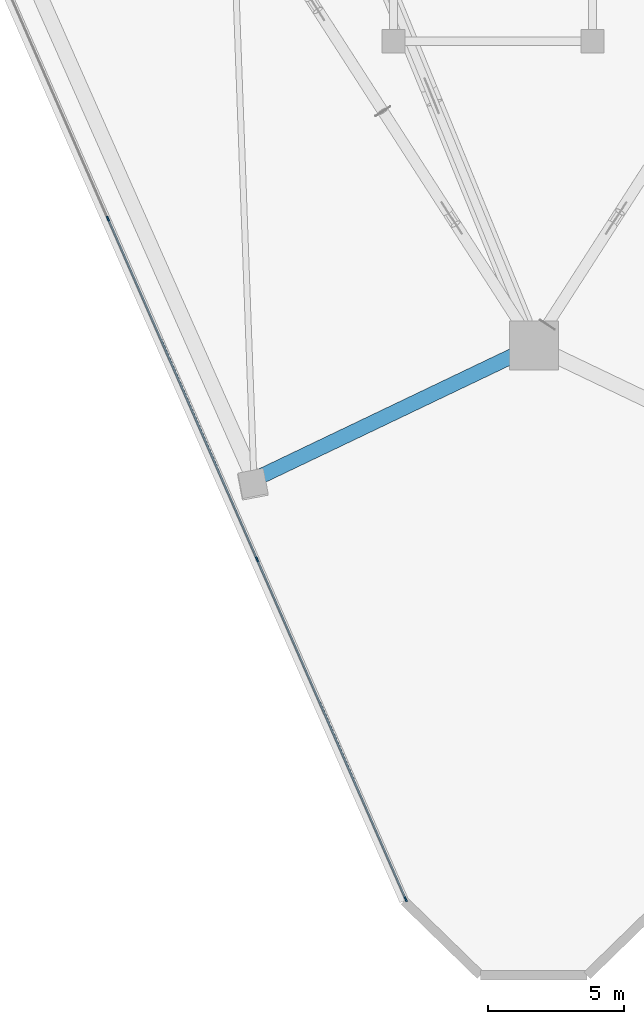
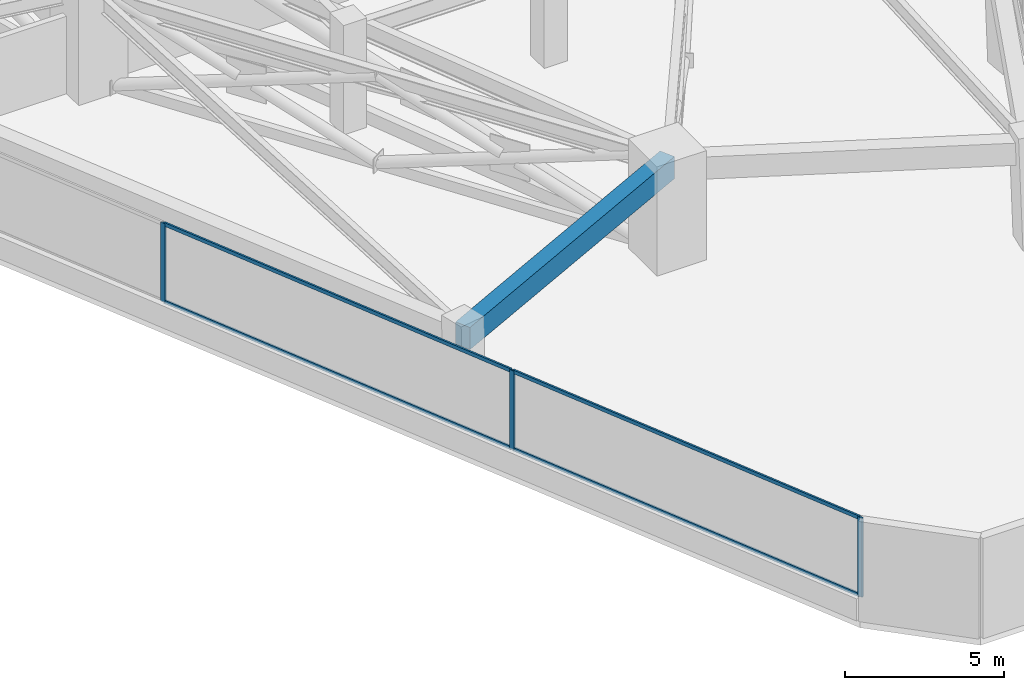
# One storey, part 2 of 20: 7 members, 1 beam, 1 element without a shape of its own.
"""IFC4 building model written with IfcOpenShell, lengths in metres."""

from ifc_helpers import new_model, si_unit, direction, frame, origin, origin_2d, place, context, subcontext, project, spatial, rectangle, extrude, material, layer, layer_set, material_profile, profile_set, type_object, element, aggregate, save


model = new_model("IFC4")

# Units and contexts
model_context = context("Model", 3, precision=1e-05, world=origin(), true_north=direction((0.0, 1.0)))
body_context = subcontext(model_context, "Body", "Model", "MODEL_VIEW")
ifc_project = project(units=[si_unit("LENGTHUNIT", "METRE"), si_unit("AREAUNIT", "SQUARE_METRE"), si_unit("VOLUMEUNIT", "CUBIC_METRE"), si_unit("PLANEANGLEUNIT", "RADIAN"), si_unit("MASSUNIT", "GRAM", prefix="KILO")], contexts=[model_context])

# Site, building, storey
site_placement = place(None, origin())
site = spatial("IfcSite", under=ifc_project, at=site_placement, CompositionType="ELEMENT")
building_placement = place(site_placement, origin())
building = spatial("IfcBuilding", under=site, at=building_placement, Name="Talyreon Biosciences Tower", CompositionType="ELEMENT")
storey_placement = place(building_placement, frame((0.0, 0.0, 66.60009765625)))
storey = spatial("IfcBuildingStorey", under=building, at=storey_placement, Name="L17", CompositionType="ELEMENT", Elevation=66.60009765625)

# Curtain wall, members
ifc_material_1 = material(Name="Thermally broken aluminium and low-E glazing", Category="aluminium")
ifc_layer = layer(ifc_material_1, 0.195068359375)
ifc_layer_set = layer_set([ifc_layer], Name="Thermally broken aluminium and low-E glazing")
curtain_wall_type = type_object("IfcCurtainWallType", Name="CurtainWall_Zone1WetLab", PredefinedType="NOTDEFINED", material=ifc_layer_set)
curtain_wall_placement = place(storey_placement, origin())
curtain_wall = element("IfcCurtainWall", 1, at=curtain_wall_placement, inside=storey, type_object=curtain_wall_type, Name="L17 Unitised Curtain Wall FCW-L17-00", PredefinedType="NOTDEFINED")
ifc_material_2 = material(Name="Anodised thermally broken aluminium", Category="aluminium")
ifc_material_profile_1 = material_profile(ifc_material_2, rectangle(XDim=0.06494140625, YDim=0.179931640625, at=origin_2d()), Name="ALUM MULLION 65x180")
ifc_profile_set_1 = profile_set([ifc_material_profile_1], Name="Anodised thermally broken aluminium")
member_type_1 = type_object("IfcMemberType", Name="CWMullion_65x180", PredefinedType="MULLION", material=ifc_profile_set_1)
member_1_placement = place(storey_placement, frame((61.29638671875, 21.3525390625, 0.809814453125), z_axis=(0.0, 0.0, 1.0), x_axis=(-0.916151953082, -0.400831135099, 0.0)))
member_1 = element("IfcMember", 2, at=member_1_placement, type_object=member_type_1, Name="CW2 mullion 1", PredefinedType="MULLION", context=body_context, shape_type="SweptSolid", body=[
    extrude(rectangle(XDim=0.06494140625, YDim=0.179931640625, at=origin_2d()), origin(), (0.0, 0.0, 1.0), 3.0400390625),
])
member_2_placement = place(storey_placement, frame((55.83935546875, 33.8251953125, 0.809814453125), z_axis=(0.0, 0.0, 1.0), x_axis=(-0.916151953082, -0.400831135099, 0.0)))
member_2 = element("IfcMember", 3, at=member_2_placement, type_object=member_type_1, Name="CW2 mullion 2", PredefinedType="MULLION", context=body_context, shape_type="SweptSolid", body=[
    extrude(rectangle(XDim=0.06494140625, YDim=0.179931640625, at=origin_2d()), origin(), (0.0, 0.0, 1.0), 3.0400390625),
])
member_3_placement = place(storey_placement, frame((50.369384765625, 46.32763671875, 0.809814453125), z_axis=(0.0, 0.0, 1.0), x_axis=(-0.916151953082, -0.400831135099, 0.0)))
member_3 = element("IfcMember", 4, at=member_3_placement, type_object=member_type_1, Name="CW2 mullion 3", PredefinedType="MULLION", context=body_context, shape_type="SweptSolid", body=[
    extrude(rectangle(XDim=0.06494140625, YDim=0.179931640625, at=origin_2d()), origin(), (0.0, 0.0, 1.0), 3.0400390625),
])
ifc_material_profile_2 = material_profile(ifc_material_2, rectangle(XDim=0.06494140625, YDim=0.139892578125, at=origin_2d()), Name="ALUM TRANSOM 65x140")
ifc_profile_set_2 = profile_set([ifc_material_profile_2], Name="Anodised thermally broken aluminium")
member_type_2 = type_object("IfcMemberType", Name="CWTransom_65x140", PredefinedType="USERDEFINED", material=ifc_profile_set_2)
member_4_placement = place(storey_placement, frame((61.283203125, 21.38232421875, 0.84228515625), z_axis=(-0.400830177027, 0.916152372253, 0.0), x_axis=(-0.916152372253, -0.400830177027, 0.0)))
member_4 = element("IfcMember", 5, at=member_4_placement, type_object=member_type_2, Name="CW2 transom 1.1", ObjectType="TRANSOM", PredefinedType="USERDEFINED", context=body_context, shape_type="SweptSolid", body=[
    extrude(rectangle(XDim=0.06494140625, YDim=0.139892578125, at=origin_2d()), origin(), (0.0, 0.0, 1.0), 13.549072265625),
])
member_5_placement = place(storey_placement, frame((61.283203125, 21.38232421875, 3.8173828125), z_axis=(-0.400830177027, 0.916152372253, 0.0), x_axis=(-0.916152372253, -0.400830177027, 0.0)))
member_5 = element("IfcMember", 6, at=member_5_placement, type_object=member_type_2, Name="CW2 transom 1.2", ObjectType="TRANSOM", PredefinedType="USERDEFINED", context=body_context, shape_type="SweptSolid", body=[
    extrude(rectangle(XDim=0.06494140625, YDim=0.139892578125, at=origin_2d()), origin(), (0.0, 0.0, 1.0), 13.549072265625),
])
member_6_placement = place(storey_placement, frame((55.826171875, 33.85498046875, 0.84228515625), z_axis=(-0.40082449197, 0.916154859528, 0.0), x_axis=(-0.916154859528, -0.40082449197, 0.0)))
member_6 = element("IfcMember", 7, at=member_6_placement, type_object=member_type_2, Name="CW2 transom 2.1", ObjectType="TRANSOM", PredefinedType="USERDEFINED", context=body_context, shape_type="SweptSolid", body=[
    extrude(rectangle(XDim=0.06494140625, YDim=0.139892578125, at=origin_2d()), origin(), (0.0, 0.0, 1.0), 13.58154296875),
])
member_7_placement = place(storey_placement, frame((55.826171875, 33.85498046875, 3.8173828125), z_axis=(-0.40082449197, 0.916154859528, 0.0), x_axis=(-0.916154859528, -0.40082449197, 0.0)))
member_7 = element("IfcMember", 8, at=member_7_placement, type_object=member_type_2, Name="CW2 transom 2.2", ObjectType="TRANSOM", PredefinedType="USERDEFINED", context=body_context, shape_type="SweptSolid", body=[
    extrude(rectangle(XDim=0.06494140625, YDim=0.139892578125, at=origin_2d()), origin(), (0.0, 0.0, 1.0), 13.58154296875),
])
aggregate(curtain_wall, [member_1, member_2, member_3, member_4, member_5, member_6, member_7])

# Beam
ifc_material_3 = material(Name="Precast concrete C45/55", Category="concrete")
ifc_material_profile_3 = material_profile(ifc_material_3, rectangle(XDim=0.550048828125, YDim=0.85009765625, at=origin_2d()), Name="RCB 550x850")
ifc_profile_set_3 = profile_set([ifc_material_profile_3], Name="Precast concrete C45/55")
beam_type = type_object("IfcBeamType", Name="ExpressedSpandrel_550x850", PredefinedType="SPANDREL", material=ifc_profile_set_3)
beam_placement = place(storey_placement, frame((55.7255859375, 36.754638671875, 3.4248046875), z_axis=(0.902185369014, 0.431348536497, 0.0), x_axis=(-0.431348536497, 0.902185369014, 0.0)))
element("IfcBeam", 9, at=beam_placement, inside=storey, type_object=beam_type, Name="L17 Expressed Horizontal Concrete Spandrel 12", PredefinedType="SPANDREL", context=body_context, shape_type="SweptSolid", body=[
    extrude(rectangle(XDim=0.550048828125, YDim=0.85009765625, at=origin_2d()), origin(), (0.0, 0.0, 1.0), 11.388427734375),
])

save(model, "model.ifc")
